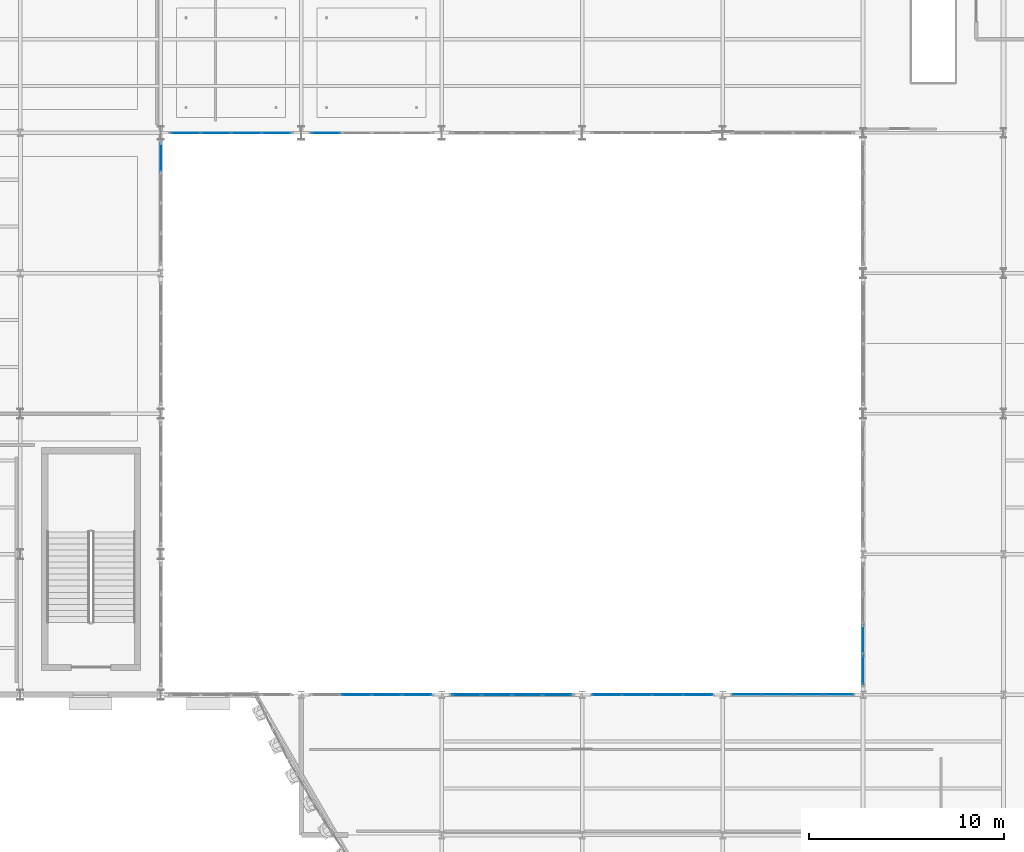
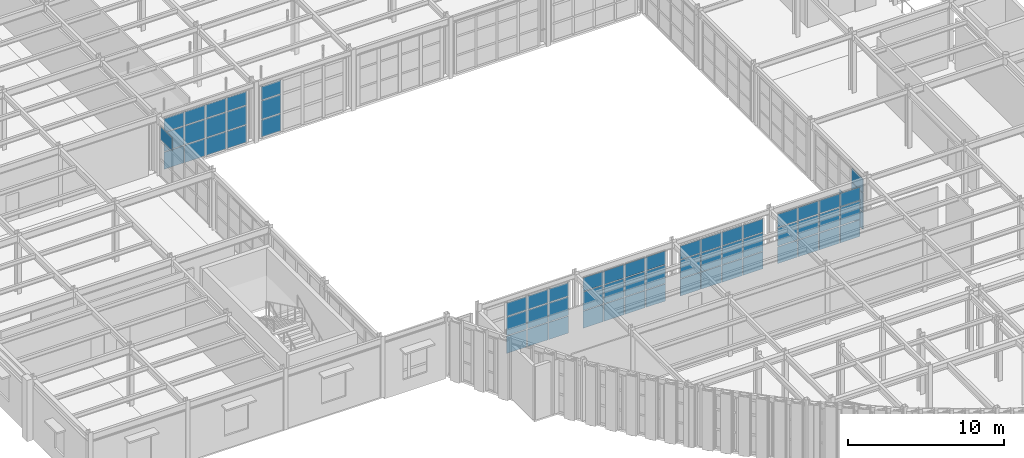
# One storey, part 79 of 121: 65 plates, 8 elements without a shape of their own.
"""IFC4 building model written with IfcOpenShell, lengths in metres."""

from ifc_helpers import new_model, si_unit, direction, frame, origin, origin_2d, place, context, subcontext, project, spatial, rectangle, extrude, material, layer, layer_set, type_object, element, aggregate, save


model = new_model("IFC4")

# Units and contexts
model_context = context("Model", 3, precision=1e-05, world=origin(), true_north=direction((0.0, 1.0)))
body_context = subcontext(model_context, "Body", "Model", "MODEL_VIEW")
ifc_project = project(units=[si_unit("LENGTHUNIT", "METRE"), si_unit("AREAUNIT", "SQUARE_METRE"), si_unit("VOLUMEUNIT", "CUBIC_METRE"), si_unit("PLANEANGLEUNIT", "RADIAN"), si_unit("MASSUNIT", "GRAM", prefix="KILO")], contexts=[model_context])

# Site, building, storey
site_placement = place(None, origin())
site = spatial("IfcSite", under=ifc_project, at=site_placement, CompositionType="ELEMENT")
building_placement = place(site_placement, origin())
building = spatial("IfcBuilding", under=site, at=building_placement, Name="Solvadek Multi-Sports Hall", CompositionType="ELEMENT")
storey_placement = place(building_placement, frame((0.0, 0.0, 4.800048828125)))
storey = spatial("IfcBuildingStorey", under=building, at=storey_placement, Name="L01", CompositionType="ELEMENT", Elevation=4.800048828125)

# Curtain wall, plates
ifc_material_1 = material(Name="Anodised aluminium", Category="aluminium")
ifc_layer_1 = layer(ifc_material_1, 0.159912109375, Name="Anodised aluminium")
ifc_layer_set_1 = layer_set([ifc_layer_1], Name="Anodised aluminium")
curtain_wall_type_1 = type_object("IfcCurtainWallType", Name="ENV-CW-624X400", PredefinedType="USERDEFINED", material=ifc_layer_set_1)
curtain_wall_1_placement = place(storey_placement, origin())
curtain_wall_1 = element("IfcCurtainWall", 1, at=curtain_wall_1_placement, inside=storey, type_object=curtain_wall_type_1, Name="L01 Perimeter Bay Curtain Wall #175", ObjectType="CURTAIN WALL", PredefinedType="USERDEFINED")
ifc_material_2 = material(Name="Tempered laminated low-E glass", Category="glass")
ifc_layer_2 = layer(ifc_material_2, 0.02392578125, Name="Tempered laminated low-E glass")
ifc_layer_set_2 = layer_set([ifc_layer_2], Name="Tempered laminated low-E glass")
plate_type_1 = type_object("IfcPlateType", Name="ENV-CWP-01", PredefinedType="CURTAIN_PANEL", material=ifc_layer_set_2)
plate_1_placement = place(storey_placement, frame((51.675048828125, 20.39990234375, 0.06494140625), z_axis=(0.0, 0.0, 1.0), x_axis=(1.0, 0.0, 0.0)))
plate_1 = element("IfcPlate", 2, at=plate_1_placement, type_object=plate_type_1, Name="CW-56 panel 1.1", PredefinedType="CURTAIN_PANEL", context=body_context, shape_type="SweptSolid", body=[
    extrude(rectangle(XDim=1.469970703125, YDim=0.02392578125, at=origin_2d()), origin(), (0.0, 0.0, 1.0), 1.302490234375),
])
plate_2_placement = place(storey_placement, frame((51.675048828125, 20.39990234375, 1.432373046875), z_axis=(0.0, 0.0, 1.0), x_axis=(1.0, 0.0, 0.0)))
plate_2 = element("IfcPlate", 3, at=plate_2_placement, type_object=plate_type_1, Name="CW-56 panel 1.2", PredefinedType="CURTAIN_PANEL", context=body_context, shape_type="SweptSolid", body=[
    extrude(rectangle(XDim=1.469970703125, YDim=0.02392578125, at=origin_2d()), origin(), (0.0, 0.0, 1.0), 1.4150390625),
])
plate_3_placement = place(storey_placement, frame((51.675048828125, 20.39990234375, 2.912353515625), z_axis=(0.0, 0.0, 1.0), x_axis=(1.0, 0.0, 0.0)))
plate_3 = element("IfcPlate", 4, at=plate_3_placement, type_object=plate_type_1, Name="CW-56 panel 1.3", PredefinedType="CURTAIN_PANEL", context=body_context, shape_type="SweptSolid", body=[
    extrude(rectangle(XDim=1.469970703125, YDim=0.02392578125, at=origin_2d()), origin(), (0.0, 0.0, 1.0), 1.0224609375),
])
plate_4_placement = place(storey_placement, frame((53.219970703125, 20.39990234375, 0.06494140625), z_axis=(0.0, 0.0, 1.0), x_axis=(1.0, 0.0, 0.0)))
plate_4 = element("IfcPlate", 5, at=plate_4_placement, type_object=plate_type_1, Name="CW-56 panel 2.1", PredefinedType="CURTAIN_PANEL", context=body_context, shape_type="SweptSolid", body=[
    extrude(rectangle(XDim=1.5, YDim=0.02392578125, at=origin_2d()), origin(), (0.0, 0.0, 1.0), 1.302490234375),
])
plate_5_placement = place(storey_placement, frame((53.219970703125, 20.39990234375, 1.432373046875), z_axis=(0.0, 0.0, 1.0), x_axis=(1.0, 0.0, 0.0)))
plate_5 = element("IfcPlate", 6, at=plate_5_placement, type_object=plate_type_1, Name="CW-56 panel 2.2", PredefinedType="CURTAIN_PANEL", context=body_context, shape_type="SweptSolid", body=[
    extrude(rectangle(XDim=1.5, YDim=0.02392578125, at=origin_2d()), origin(), (0.0, 0.0, 1.0), 1.4150390625),
])
plate_6_placement = place(storey_placement, frame((53.219970703125, 20.39990234375, 2.912353515625), z_axis=(0.0, 0.0, 1.0), x_axis=(1.0, 0.0, 0.0)))
plate_6 = element("IfcPlate", 7, at=plate_6_placement, type_object=plate_type_1, Name="CW-56 panel 2.3", PredefinedType="CURTAIN_PANEL", context=body_context, shape_type="SweptSolid", body=[
    extrude(rectangle(XDim=1.5, YDim=0.02392578125, at=origin_2d()), origin(), (0.0, 0.0, 1.0), 1.0224609375),
])
plate_7_placement = place(storey_placement, frame((54.780029296875, 20.39990234375, 0.06494140625), z_axis=(0.0, 0.0, 1.0), x_axis=(1.0, 0.0, 0.0)))
plate_7 = element("IfcPlate", 8, at=plate_7_placement, type_object=plate_type_1, Name="CW-56 panel 3.1", PredefinedType="CURTAIN_PANEL", context=body_context, shape_type="SweptSolid", body=[
    extrude(rectangle(XDim=1.5, YDim=0.02392578125, at=origin_2d()), origin(), (0.0, 0.0, 1.0), 1.302490234375),
])
plate_8_placement = place(storey_placement, frame((54.780029296875, 20.39990234375, 1.432373046875), z_axis=(0.0, 0.0, 1.0), x_axis=(1.0, 0.0, 0.0)))
plate_8 = element("IfcPlate", 9, at=plate_8_placement, type_object=plate_type_1, Name="CW-56 panel 3.2", PredefinedType="CURTAIN_PANEL", context=body_context, shape_type="SweptSolid", body=[
    extrude(rectangle(XDim=1.5, YDim=0.02392578125, at=origin_2d()), origin(), (0.0, 0.0, 1.0), 1.4150390625),
])
plate_9_placement = place(storey_placement, frame((54.780029296875, 20.39990234375, 2.912353515625), z_axis=(0.0, 0.0, 1.0), x_axis=(1.0, 0.0, 0.0)))
plate_9 = element("IfcPlate", 10, at=plate_9_placement, type_object=plate_type_1, Name="CW-56 panel 3.3", PredefinedType="CURTAIN_PANEL", context=body_context, shape_type="SweptSolid", body=[
    extrude(rectangle(XDim=1.5, YDim=0.02392578125, at=origin_2d()), origin(), (0.0, 0.0, 1.0), 1.0224609375),
])
plate_10_placement = place(storey_placement, frame((56.324951171875, 20.39990234375, 0.06494140625), z_axis=(0.0, 0.0, 1.0), x_axis=(1.0, 0.0, 0.0)))
plate_10 = element("IfcPlate", 11, at=plate_10_placement, type_object=plate_type_1, Name="CW-56 panel 4.1", PredefinedType="CURTAIN_PANEL", context=body_context, shape_type="SweptSolid", body=[
    extrude(rectangle(XDim=1.469970703125, YDim=0.02392578125, at=origin_2d()), origin(), (0.0, 0.0, 1.0), 1.302490234375),
])
plate_11_placement = place(storey_placement, frame((56.324951171875, 20.39990234375, 1.432373046875), z_axis=(0.0, 0.0, 1.0), x_axis=(1.0, 0.0, 0.0)))
plate_11 = element("IfcPlate", 12, at=plate_11_placement, type_object=plate_type_1, Name="CW-56 panel 4.2", PredefinedType="CURTAIN_PANEL", context=body_context, shape_type="SweptSolid", body=[
    extrude(rectangle(XDim=1.469970703125, YDim=0.02392578125, at=origin_2d()), origin(), (0.0, 0.0, 1.0), 1.4150390625),
])
plate_12_placement = place(storey_placement, frame((56.324951171875, 20.39990234375, 2.912353515625), z_axis=(0.0, 0.0, 1.0), x_axis=(1.0, 0.0, 0.0)))
plate_12 = element("IfcPlate", 13, at=plate_12_placement, type_object=plate_type_1, Name="CW-56 panel 4.3", PredefinedType="CURTAIN_PANEL", context=body_context, shape_type="SweptSolid", body=[
    extrude(rectangle(XDim=1.469970703125, YDim=0.02392578125, at=origin_2d()), origin(), (0.0, 0.0, 1.0), 1.0224609375),
])
aggregate(curtain_wall_1, [plate_1, plate_2, plate_3, plate_4, plate_5, plate_6, plate_7, plate_8, plate_9, plate_10, plate_11, plate_12])

# Curtain wall, plate
curtain_wall_2_placement = place(storey_placement, origin())
curtain_wall_2 = element("IfcCurtainWall", 14, at=curtain_wall_2_placement, inside=storey, type_object=curtain_wall_type_1, Name="L01 Perimeter Bay Curtain Wall #198", ObjectType="CURTAIN WALL", PredefinedType="USERDEFINED")
plate_13_placement = place(storey_placement, frame((21.60009765625, 47.925048828125, 2.912353515625), z_axis=(0.0, 0.0, 1.0), x_axis=(0.0, 1.0, 0.0)))
plate_13 = element("IfcPlate", 15, at=plate_13_placement, type_object=plate_type_1, Name="CW-56 panel 4.3", PredefinedType="CURTAIN_PANEL", context=body_context, shape_type="SweptSolid", body=[
    extrude(rectangle(XDim=1.469970703125, YDim=0.02392578125, at=origin_2d()), origin(), (0.0, 0.0, 1.0), 1.0224609375),
])
aggregate(curtain_wall_2, [plate_13])

# Curtain wall, plates
ifc_layer_3 = layer(ifc_material_1, 0.159912109375, Name="Anodised aluminium")
ifc_layer_set_3 = layer_set([ifc_layer_3], Name="Anodised aluminium")
curtain_wall_type_2 = type_object("IfcCurtainWallType", Name="ENV-CW-624X410", PredefinedType="USERDEFINED", material=ifc_layer_set_3)
curtain_wall_3_placement = place(storey_placement, origin())
curtain_wall_3 = element("IfcCurtainWall", 16, at=curtain_wall_3_placement, inside=storey, type_object=curtain_wall_type_2, Name="L01 Perimeter Bay Curtain Wall #156", ObjectType="CURTAIN WALL", PredefinedType="USERDEFINED")
ifc_layer_4 = layer(ifc_material_2, 0.031982421875, Name="Tempered laminated low-E glass")
ifc_layer_set_4 = layer_set([ifc_layer_4], Name="Tempered laminated low-E glass")
plate_type_2 = type_object("IfcPlateType", Name="ENV-CWP-03", PredefinedType="CURTAIN_PANEL", material=ifc_layer_set_4)
plate_14_placement = place(storey_placement, frame((22.876220703125, 49.199951171875, 0.06494140625), z_axis=(0.0, 0.0, 1.0), x_axis=(1.0, 0.0, 0.0)))
plate_14 = element("IfcPlate", 17, at=plate_14_placement, type_object=plate_type_2, Name="CW-39 panel 1.1", PredefinedType="CURTAIN_PANEL", context=body_context, shape_type="SweptSolid", body=[
    extrude(rectangle(XDim=1.46240234375, YDim=0.031982421875, at=origin_2d()), origin(), (0.0, 0.0, 1.0), 1.33740234375),
])
plate_15_placement = place(storey_placement, frame((22.876220703125, 49.199951171875, 1.46728515625), z_axis=(0.0, 0.0, 1.0), x_axis=(1.0, 0.0, 0.0)))
plate_15 = element("IfcPlate", 18, at=plate_15_placement, type_object=plate_type_2, Name="CW-39 panel 1.2", PredefinedType="CURTAIN_PANEL", context=body_context, shape_type="SweptSolid", body=[
    extrude(rectangle(XDim=1.46240234375, YDim=0.031982421875, at=origin_2d()), origin(), (0.0, 0.0, 1.0), 1.451904296875),
])
plate_16_placement = place(storey_placement, frame((22.876220703125, 49.199951171875, 2.984375), z_axis=(0.0, 0.0, 1.0), x_axis=(1.0, 0.0, 0.0)))
plate_16 = element("IfcPlate", 19, at=plate_16_placement, type_object=plate_type_2, Name="CW-39 panel 1.3", PredefinedType="CURTAIN_PANEL", context=body_context, shape_type="SweptSolid", body=[
    extrude(rectangle(XDim=1.46240234375, YDim=0.031982421875, at=origin_2d()), origin(), (0.0, 0.0, 1.0), 1.050537109375),
])
plate_17_placement = place(storey_placement, frame((24.419921875, 49.199951171875, 0.06494140625), z_axis=(0.0, 0.0, 1.0), x_axis=(1.0, 0.0, 0.0)))
plate_17 = element("IfcPlate", 20, at=plate_17_placement, type_object=plate_type_2, Name="CW-39 panel 2.1", PredefinedType="CURTAIN_PANEL", context=body_context, shape_type="SweptSolid", body=[
    extrude(rectangle(XDim=1.4951171875, YDim=0.031982421875, at=origin_2d()), origin(), (0.0, 0.0, 1.0), 1.33740234375),
])
plate_18_placement = place(storey_placement, frame((24.419921875, 49.199951171875, 1.46728515625), z_axis=(0.0, 0.0, 1.0), x_axis=(1.0, 0.0, 0.0)))
plate_18 = element("IfcPlate", 21, at=plate_18_placement, type_object=plate_type_2, Name="CW-39 panel 2.2", PredefinedType="CURTAIN_PANEL", context=body_context, shape_type="SweptSolid", body=[
    extrude(rectangle(XDim=1.4951171875, YDim=0.031982421875, at=origin_2d()), origin(), (0.0, 0.0, 1.0), 1.451904296875),
])
plate_19_placement = place(storey_placement, frame((24.419921875, 49.199951171875, 2.984375), z_axis=(0.0, 0.0, 1.0), x_axis=(1.0, 0.0, 0.0)))
plate_19 = element("IfcPlate", 22, at=plate_19_placement, type_object=plate_type_2, Name="CW-39 panel 2.3", PredefinedType="CURTAIN_PANEL", context=body_context, shape_type="SweptSolid", body=[
    extrude(rectangle(XDim=1.4951171875, YDim=0.031982421875, at=origin_2d()), origin(), (0.0, 0.0, 1.0), 1.050537109375),
])
plate_20_placement = place(storey_placement, frame((25.97998046875, 49.199951171875, 0.06494140625), z_axis=(0.0, 0.0, 1.0), x_axis=(1.0, 0.0, 0.0)))
plate_20 = element("IfcPlate", 23, at=plate_20_placement, type_object=plate_type_2, Name="CW-39 panel 3.1", PredefinedType="CURTAIN_PANEL", context=body_context, shape_type="SweptSolid", body=[
    extrude(rectangle(XDim=1.4951171875, YDim=0.031982421875, at=origin_2d()), origin(), (0.0, 0.0, 1.0), 1.33740234375),
])
plate_21_placement = place(storey_placement, frame((25.97998046875, 49.199951171875, 1.46728515625), z_axis=(0.0, 0.0, 1.0), x_axis=(1.0, 0.0, 0.0)))
plate_21 = element("IfcPlate", 24, at=plate_21_placement, type_object=plate_type_2, Name="CW-39 panel 3.2", PredefinedType="CURTAIN_PANEL", context=body_context, shape_type="SweptSolid", body=[
    extrude(rectangle(XDim=1.4951171875, YDim=0.031982421875, at=origin_2d()), origin(), (0.0, 0.0, 1.0), 1.451904296875),
])
plate_22_placement = place(storey_placement, frame((25.97998046875, 49.199951171875, 2.984375), z_axis=(0.0, 0.0, 1.0), x_axis=(1.0, 0.0, 0.0)))
plate_22 = element("IfcPlate", 25, at=plate_22_placement, type_object=plate_type_2, Name="CW-39 panel 3.3", PredefinedType="CURTAIN_PANEL", context=body_context, shape_type="SweptSolid", body=[
    extrude(rectangle(XDim=1.4951171875, YDim=0.031982421875, at=origin_2d()), origin(), (0.0, 0.0, 1.0), 1.050537109375),
])
plate_23_placement = place(storey_placement, frame((27.523681640625, 49.199951171875, 0.06494140625), z_axis=(0.0, 0.0, 1.0), x_axis=(1.0, 0.0, 0.0)))
plate_23 = element("IfcPlate", 26, at=plate_23_placement, type_object=plate_type_2, Name="CW-39 panel 4.1", PredefinedType="CURTAIN_PANEL", context=body_context, shape_type="SweptSolid", body=[
    extrude(rectangle(XDim=1.46240234375, YDim=0.031982421875, at=origin_2d()), origin(), (0.0, 0.0, 1.0), 1.33740234375),
])
plate_24_placement = place(storey_placement, frame((27.523681640625, 49.199951171875, 1.46728515625), z_axis=(0.0, 0.0, 1.0), x_axis=(1.0, 0.0, 0.0)))
plate_24 = element("IfcPlate", 27, at=plate_24_placement, type_object=plate_type_2, Name="CW-39 panel 4.2", PredefinedType="CURTAIN_PANEL", context=body_context, shape_type="SweptSolid", body=[
    extrude(rectangle(XDim=1.46240234375, YDim=0.031982421875, at=origin_2d()), origin(), (0.0, 0.0, 1.0), 1.451904296875),
])
plate_25_placement = place(storey_placement, frame((27.523681640625, 49.199951171875, 2.984375), z_axis=(0.0, 0.0, 1.0), x_axis=(1.0, 0.0, 0.0)))
plate_25 = element("IfcPlate", 28, at=plate_25_placement, type_object=plate_type_2, Name="CW-39 panel 4.3", PredefinedType="CURTAIN_PANEL", context=body_context, shape_type="SweptSolid", body=[
    extrude(rectangle(XDim=1.46240234375, YDim=0.031982421875, at=origin_2d()), origin(), (0.0, 0.0, 1.0), 1.050537109375),
])
aggregate(curtain_wall_3, [plate_14, plate_15, plate_16, plate_17, plate_18, plate_19, plate_20, plate_21, plate_22, plate_23, plate_24, plate_25])

ifc_layer_5 = layer(ifc_material_1, 0.159912109375, Name="Anodised aluminium")
ifc_layer_set_5 = layer_set([ifc_layer_5], Name="Anodised aluminium")
curtain_wall_type_3 = type_object("IfcCurtainWallType", Name="ENV-CW-624X408", PredefinedType="USERDEFINED", material=ifc_layer_set_5)
curtain_wall_4_placement = place(storey_placement, origin())
curtain_wall_4 = element("IfcCurtainWall", 29, at=curtain_wall_4_placement, inside=storey, type_object=curtain_wall_type_3, Name="L01 Perimeter Bay Curtain Wall #159", ObjectType="CURTAIN WALL", PredefinedType="USERDEFINED")
ifc_layer_6 = layer(ifc_material_2, 0.035888671875, Name="Tempered laminated low-E glass")
ifc_layer_set_6 = layer_set([ifc_layer_6], Name="Tempered laminated low-E glass")
plate_type_3 = type_object("IfcPlateType", Name="ENV-CWP-04", PredefinedType="CURTAIN_PANEL", material=ifc_layer_set_6)
plate_26_placement = place(storey_placement, frame((31.6201171875, 20.39990234375, 0.06494140625), z_axis=(0.0, 0.0, 1.0), x_axis=(1.0, 0.0, 0.0)))
plate_26 = element("IfcPlate", 30, at=plate_26_placement, type_object=plate_type_3, Name="CW-40 panel 2.1", PredefinedType="CURTAIN_PANEL", context=body_context, shape_type="SweptSolid", body=[
    extrude(rectangle(XDim=1.4951171875, YDim=0.035888671875, at=origin_2d()), origin(), (0.0, 0.0, 1.0), 1.32861328125),
])
plate_27_placement = place(storey_placement, frame((31.6201171875, 20.39990234375, 1.45849609375), z_axis=(0.0, 0.0, 1.0), x_axis=(1.0, 0.0, 0.0)))
plate_27 = element("IfcPlate", 31, at=plate_27_placement, type_object=plate_type_3, Name="CW-40 panel 2.2", PredefinedType="CURTAIN_PANEL", context=body_context, shape_type="SweptSolid", body=[
    extrude(rectangle(XDim=1.4951171875, YDim=0.035888671875, at=origin_2d()), origin(), (0.0, 0.0, 1.0), 1.443115234375),
])
plate_28_placement = place(storey_placement, frame((31.6201171875, 20.39990234375, 2.966552734375), z_axis=(0.0, 0.0, 1.0), x_axis=(1.0, 0.0, 0.0)))
plate_28 = element("IfcPlate", 32, at=plate_28_placement, type_object=plate_type_3, Name="CW-40 panel 2.3", PredefinedType="CURTAIN_PANEL", context=body_context, shape_type="SweptSolid", body=[
    extrude(rectangle(XDim=1.4951171875, YDim=0.035888671875, at=origin_2d()), origin(), (0.0, 0.0, 1.0), 1.04345703125),
])
plate_29_placement = place(storey_placement, frame((33.179931640625, 20.39990234375, 0.06494140625), z_axis=(0.0, 0.0, 1.0), x_axis=(1.0, 0.0, 0.0)))
plate_29 = element("IfcPlate", 33, at=plate_29_placement, type_object=plate_type_3, Name="CW-40 panel 3.1", PredefinedType="CURTAIN_PANEL", context=body_context, shape_type="SweptSolid", body=[
    extrude(rectangle(XDim=1.4951171875, YDim=0.035888671875, at=origin_2d()), origin(), (0.0, 0.0, 1.0), 1.32861328125),
])
plate_30_placement = place(storey_placement, frame((33.179931640625, 20.39990234375, 1.45849609375), z_axis=(0.0, 0.0, 1.0), x_axis=(1.0, 0.0, 0.0)))
plate_30 = element("IfcPlate", 34, at=plate_30_placement, type_object=plate_type_3, Name="CW-40 panel 3.2", PredefinedType="CURTAIN_PANEL", context=body_context, shape_type="SweptSolid", body=[
    extrude(rectangle(XDim=1.4951171875, YDim=0.035888671875, at=origin_2d()), origin(), (0.0, 0.0, 1.0), 1.443115234375),
])
plate_31_placement = place(storey_placement, frame((33.179931640625, 20.39990234375, 2.966552734375), z_axis=(0.0, 0.0, 1.0), x_axis=(1.0, 0.0, 0.0)))
plate_31 = element("IfcPlate", 35, at=plate_31_placement, type_object=plate_type_3, Name="CW-40 panel 3.3", PredefinedType="CURTAIN_PANEL", context=body_context, shape_type="SweptSolid", body=[
    extrude(rectangle(XDim=1.4951171875, YDim=0.035888671875, at=origin_2d()), origin(), (0.0, 0.0, 1.0), 1.04345703125),
])
plate_32_placement = place(storey_placement, frame((34.7236328125, 20.39990234375, 0.06494140625), z_axis=(0.0, 0.0, 1.0), x_axis=(1.0, 0.0, 0.0)))
plate_32 = element("IfcPlate", 36, at=plate_32_placement, type_object=plate_type_3, Name="CW-40 panel 4.1", PredefinedType="CURTAIN_PANEL", context=body_context, shape_type="SweptSolid", body=[
    extrude(rectangle(XDim=1.46240234375, YDim=0.035888671875, at=origin_2d()), origin(), (0.0, 0.0, 1.0), 1.32861328125),
])
plate_33_placement = place(storey_placement, frame((34.7236328125, 20.39990234375, 1.45849609375), z_axis=(0.0, 0.0, 1.0), x_axis=(1.0, 0.0, 0.0)))
plate_33 = element("IfcPlate", 37, at=plate_33_placement, type_object=plate_type_3, Name="CW-40 panel 4.2", PredefinedType="CURTAIN_PANEL", context=body_context, shape_type="SweptSolid", body=[
    extrude(rectangle(XDim=1.46240234375, YDim=0.035888671875, at=origin_2d()), origin(), (0.0, 0.0, 1.0), 1.443115234375),
])
plate_34_placement = place(storey_placement, frame((34.7236328125, 20.39990234375, 2.966552734375), z_axis=(0.0, 0.0, 1.0), x_axis=(1.0, 0.0, 0.0)))
plate_34 = element("IfcPlate", 38, at=plate_34_placement, type_object=plate_type_3, Name="CW-40 panel 4.3", PredefinedType="CURTAIN_PANEL", context=body_context, shape_type="SweptSolid", body=[
    extrude(rectangle(XDim=1.46240234375, YDim=0.035888671875, at=origin_2d()), origin(), (0.0, 0.0, 1.0), 1.04345703125),
])
aggregate(curtain_wall_4, [plate_26, plate_27, plate_28, plate_29, plate_30, plate_31, plate_32, plate_33, plate_34])

curtain_wall_5_placement = place(storey_placement, origin())
curtain_wall_5 = element("IfcCurtainWall", 39, at=curtain_wall_5_placement, inside=storey, type_object=curtain_wall_type_3, Name="L01 Perimeter Bay Curtain Wall #162", ObjectType="CURTAIN WALL", PredefinedType="USERDEFINED")
plate_35_placement = place(storey_placement, frame((30.076171875, 49.199951171875, 0.06494140625), z_axis=(0.0, 0.0, 1.0), x_axis=(1.0, 0.0, 0.0)))
plate_35 = element("IfcPlate", 40, at=plate_35_placement, type_object=plate_type_3, Name="CW-40 panel 1.1", PredefinedType="CURTAIN_PANEL", context=body_context, shape_type="SweptSolid", body=[
    extrude(rectangle(XDim=1.46240234375, YDim=0.035888671875, at=origin_2d()), origin(), (0.0, 0.0, 1.0), 1.32861328125),
])
plate_36_placement = place(storey_placement, frame((30.076171875, 49.199951171875, 1.45849609375), z_axis=(0.0, 0.0, 1.0), x_axis=(1.0, 0.0, 0.0)))
plate_36 = element("IfcPlate", 41, at=plate_36_placement, type_object=plate_type_3, Name="CW-40 panel 1.2", PredefinedType="CURTAIN_PANEL", context=body_context, shape_type="SweptSolid", body=[
    extrude(rectangle(XDim=1.46240234375, YDim=0.035888671875, at=origin_2d()), origin(), (0.0, 0.0, 1.0), 1.443115234375),
])
plate_37_placement = place(storey_placement, frame((30.076171875, 49.199951171875, 2.966552734375), z_axis=(0.0, 0.0, 1.0), x_axis=(1.0, 0.0, 0.0)))
plate_37 = element("IfcPlate", 42, at=plate_37_placement, type_object=plate_type_3, Name="CW-40 panel 1.3", PredefinedType="CURTAIN_PANEL", context=body_context, shape_type="SweptSolid", body=[
    extrude(rectangle(XDim=1.46240234375, YDim=0.035888671875, at=origin_2d()), origin(), (0.0, 0.0, 1.0), 1.04345703125),
])
aggregate(curtain_wall_5, [plate_35, plate_36, plate_37])

curtain_wall_6_placement = place(storey_placement, origin())
curtain_wall_6 = element("IfcCurtainWall", 43, at=curtain_wall_6_placement, inside=storey, type_object=curtain_wall_type_3, Name="L01 Perimeter Bay Curtain Wall #184", ObjectType="CURTAIN WALL", PredefinedType="USERDEFINED")
plate_38_placement = place(storey_placement, frame((57.60009765625, 21.67626953125, 0.06494140625), z_axis=(0.0, 0.0, 1.0), x_axis=(0.0, 1.0, 0.0)))
plate_38 = element("IfcPlate", 44, at=plate_38_placement, type_object=plate_type_3, Name="CW-40 panel 1.1", PredefinedType="CURTAIN_PANEL", context=body_context, shape_type="SweptSolid", body=[
    extrude(rectangle(XDim=1.46240234375, YDim=0.035888671875, at=origin_2d()), origin(), (0.0, 0.0, 1.0), 1.32861328125),
])
plate_39_placement = place(storey_placement, frame((57.60009765625, 21.67626953125, 1.45849609375), z_axis=(0.0, 0.0, 1.0), x_axis=(0.0, 1.0, 0.0)))
plate_39 = element("IfcPlate", 45, at=plate_39_placement, type_object=plate_type_3, Name="CW-40 panel 1.2", PredefinedType="CURTAIN_PANEL", context=body_context, shape_type="SweptSolid", body=[
    extrude(rectangle(XDim=1.46240234375, YDim=0.035888671875, at=origin_2d()), origin(), (0.0, 0.0, 1.0), 1.443115234375),
])
plate_40_placement = place(storey_placement, frame((57.60009765625, 21.67626953125, 2.966552734375), z_axis=(0.0, 0.0, 1.0), x_axis=(0.0, 1.0, 0.0)))
plate_40 = element("IfcPlate", 46, at=plate_40_placement, type_object=plate_type_3, Name="CW-40 panel 1.3", PredefinedType="CURTAIN_PANEL", context=body_context, shape_type="SweptSolid", body=[
    extrude(rectangle(XDim=1.46240234375, YDim=0.035888671875, at=origin_2d()), origin(), (0.0, 0.0, 1.0), 1.04345703125),
])
plate_41_placement = place(storey_placement, frame((57.60009765625, 23.219970703125, 0.06494140625), z_axis=(0.0, 0.0, 1.0), x_axis=(0.0, 1.0, 0.0)))
plate_41 = element("IfcPlate", 47, at=plate_41_placement, type_object=plate_type_3, Name="CW-40 panel 2.1", PredefinedType="CURTAIN_PANEL", context=body_context, shape_type="SweptSolid", body=[
    extrude(rectangle(XDim=1.4951171875, YDim=0.035888671875, at=origin_2d()), origin(), (0.0, 0.0, 1.0), 1.32861328125),
])
aggregate(curtain_wall_6, [plate_38, plate_39, plate_40, plate_41])

ifc_layer_7 = layer(ifc_material_1, 0.159912109375, Name="Anodised aluminium")
ifc_layer_set_7 = layer_set([ifc_layer_7], Name="Anodised aluminium")
curtain_wall_type_4 = type_object("IfcCurtainWallType", Name="ENV-CW-624X405", PredefinedType="USERDEFINED", material=ifc_layer_set_7)
curtain_wall_7_placement = place(storey_placement, origin())
curtain_wall_7 = element("IfcCurtainWall", 48, at=curtain_wall_7_placement, inside=storey, type_object=curtain_wall_type_4, Name="L01 Perimeter Bay Curtain Wall #164", ObjectType="CURTAIN WALL", PredefinedType="USERDEFINED")
ifc_layer_8 = layer(ifc_material_2, 0.0419921875, Name="Tempered laminated low-E glass")
ifc_layer_set_8 = layer_set([ifc_layer_8], Name="Tempered laminated low-E glass")
plate_type_4 = type_object("IfcPlateType", Name="ENV-CWP-05", PredefinedType="CURTAIN_PANEL", material=ifc_layer_set_8)
plate_42_placement = place(storey_placement, frame((37.277587890625, 20.39990234375, 0.06005859375), z_axis=(0.0, 0.0, 1.0), x_axis=(1.0, 0.0, 0.0)))
plate_42 = element("IfcPlate", 49, at=plate_42_placement, type_object=plate_type_4, Name="CW-52 panel 1.1", PredefinedType="CURTAIN_PANEL", context=body_context, shape_type="SweptSolid", body=[
    extrude(rectangle(XDim=1.455078125, YDim=0.0419921875, at=origin_2d()), origin(), (0.0, 0.0, 1.0), 1.326904296875),
])
plate_43_placement = place(storey_placement, frame((37.277587890625, 20.39990234375, 1.447021484375), z_axis=(0.0, 0.0, 1.0), x_axis=(1.0, 0.0, 0.0)))
plate_43 = element("IfcPlate", 50, at=plate_43_placement, type_object=plate_type_4, Name="CW-52 panel 1.2", PredefinedType="CURTAIN_PANEL", context=body_context, shape_type="SweptSolid", body=[
    extrude(rectangle(XDim=1.455078125, YDim=0.0419921875, at=origin_2d()), origin(), (0.0, 0.0, 1.0), 1.43896484375),
])
plate_44_placement = place(storey_placement, frame((37.277587890625, 20.39990234375, 2.946044921875), z_axis=(0.0, 0.0, 1.0), x_axis=(1.0, 0.0, 0.0)))
plate_44 = element("IfcPlate", 51, at=plate_44_placement, type_object=plate_type_4, Name="CW-52 panel 1.3", PredefinedType="CURTAIN_PANEL", context=body_context, shape_type="SweptSolid", body=[
    extrude(rectangle(XDim=1.455078125, YDim=0.0419921875, at=origin_2d()), origin(), (0.0, 0.0, 1.0), 1.0439453125),
])
plate_45_placement = place(storey_placement, frame((38.820068359375, 20.39990234375, 0.06005859375), z_axis=(0.0, 0.0, 1.0), x_axis=(1.0, 0.0, 0.0)))
plate_45 = element("IfcPlate", 52, at=plate_45_placement, type_object=plate_type_4, Name="CW-52 panel 2.1", PredefinedType="CURTAIN_PANEL", context=body_context, shape_type="SweptSolid", body=[
    extrude(rectangle(XDim=1.489990234375, YDim=0.0419921875, at=origin_2d()), origin(), (0.0, 0.0, 1.0), 1.326904296875),
])
plate_46_placement = place(storey_placement, frame((38.820068359375, 20.39990234375, 1.447021484375), z_axis=(0.0, 0.0, 1.0), x_axis=(1.0, 0.0, 0.0)))
plate_46 = element("IfcPlate", 53, at=plate_46_placement, type_object=plate_type_4, Name="CW-52 panel 2.2", PredefinedType="CURTAIN_PANEL", context=body_context, shape_type="SweptSolid", body=[
    extrude(rectangle(XDim=1.489990234375, YDim=0.0419921875, at=origin_2d()), origin(), (0.0, 0.0, 1.0), 1.43896484375),
])
plate_47_placement = place(storey_placement, frame((38.820068359375, 20.39990234375, 2.946044921875), z_axis=(0.0, 0.0, 1.0), x_axis=(1.0, 0.0, 0.0)))
plate_47 = element("IfcPlate", 54, at=plate_47_placement, type_object=plate_type_4, Name="CW-52 panel 2.3", PredefinedType="CURTAIN_PANEL", context=body_context, shape_type="SweptSolid", body=[
    extrude(rectangle(XDim=1.489990234375, YDim=0.0419921875, at=origin_2d()), origin(), (0.0, 0.0, 1.0), 1.0439453125),
])
plate_48_placement = place(storey_placement, frame((40.3798828125, 20.39990234375, 0.06005859375), z_axis=(0.0, 0.0, 1.0), x_axis=(1.0, 0.0, 0.0)))
plate_48 = element("IfcPlate", 55, at=plate_48_placement, type_object=plate_type_4, Name="CW-52 panel 3.1", PredefinedType="CURTAIN_PANEL", context=body_context, shape_type="SweptSolid", body=[
    extrude(rectangle(XDim=1.489990234375, YDim=0.0419921875, at=origin_2d()), origin(), (0.0, 0.0, 1.0), 1.326904296875),
])
plate_49_placement = place(storey_placement, frame((40.3798828125, 20.39990234375, 1.447021484375), z_axis=(0.0, 0.0, 1.0), x_axis=(1.0, 0.0, 0.0)))
plate_49 = element("IfcPlate", 56, at=plate_49_placement, type_object=plate_type_4, Name="CW-52 panel 3.2", PredefinedType="CURTAIN_PANEL", context=body_context, shape_type="SweptSolid", body=[
    extrude(rectangle(XDim=1.489990234375, YDim=0.0419921875, at=origin_2d()), origin(), (0.0, 0.0, 1.0), 1.43896484375),
])
plate_50_placement = place(storey_placement, frame((40.3798828125, 20.39990234375, 2.946044921875), z_axis=(0.0, 0.0, 1.0), x_axis=(1.0, 0.0, 0.0)))
plate_50 = element("IfcPlate", 57, at=plate_50_placement, type_object=plate_type_4, Name="CW-52 panel 3.3", PredefinedType="CURTAIN_PANEL", context=body_context, shape_type="SweptSolid", body=[
    extrude(rectangle(XDim=1.489990234375, YDim=0.0419921875, at=origin_2d()), origin(), (0.0, 0.0, 1.0), 1.0439453125),
])
plate_51_placement = place(storey_placement, frame((41.922607421875, 20.39990234375, 0.06005859375), z_axis=(0.0, 0.0, 1.0), x_axis=(1.0, 0.0, 0.0)))
plate_51 = element("IfcPlate", 58, at=plate_51_placement, type_object=plate_type_4, Name="CW-52 panel 4.1", PredefinedType="CURTAIN_PANEL", context=body_context, shape_type="SweptSolid", body=[
    extrude(rectangle(XDim=1.455078125, YDim=0.0419921875, at=origin_2d()), origin(), (0.0, 0.0, 1.0), 1.326904296875),
])
plate_52_placement = place(storey_placement, frame((41.922607421875, 20.39990234375, 1.447021484375), z_axis=(0.0, 0.0, 1.0), x_axis=(1.0, 0.0, 0.0)))
plate_52 = element("IfcPlate", 59, at=plate_52_placement, type_object=plate_type_4, Name="CW-52 panel 4.2", PredefinedType="CURTAIN_PANEL", context=body_context, shape_type="SweptSolid", body=[
    extrude(rectangle(XDim=1.455078125, YDim=0.0419921875, at=origin_2d()), origin(), (0.0, 0.0, 1.0), 1.43896484375),
])
plate_53_placement = place(storey_placement, frame((41.922607421875, 20.39990234375, 2.946044921875), z_axis=(0.0, 0.0, 1.0), x_axis=(1.0, 0.0, 0.0)))
plate_53 = element("IfcPlate", 60, at=plate_53_placement, type_object=plate_type_4, Name="CW-52 panel 4.3", PredefinedType="CURTAIN_PANEL", context=body_context, shape_type="SweptSolid", body=[
    extrude(rectangle(XDim=1.455078125, YDim=0.0419921875, at=origin_2d()), origin(), (0.0, 0.0, 1.0), 1.0439453125),
])
aggregate(curtain_wall_7, [plate_42, plate_43, plate_44, plate_45, plate_46, plate_47, plate_48, plate_49, plate_50, plate_51, plate_52, plate_53])

ifc_layer_9 = layer(ifc_material_1, 0.159912109375, Name="Anodised aluminium")
ifc_layer_set_9 = layer_set([ifc_layer_9], Name="Anodised aluminium")
curtain_wall_type_5 = type_object("IfcCurtainWallType", Name="ENV-CW-624X402", PredefinedType="USERDEFINED", material=ifc_layer_set_9)
curtain_wall_8_placement = place(storey_placement, origin())
curtain_wall_8 = element("IfcCurtainWall", 61, at=curtain_wall_8_placement, inside=storey, type_object=curtain_wall_type_5, Name="L01 Perimeter Bay Curtain Wall #169", ObjectType="CURTAIN WALL", PredefinedType="USERDEFINED")
ifc_layer_10 = layer(ifc_material_2, 0.048095703125, Name="Tempered laminated low-E glass")
ifc_layer_set_10 = layer_set([ifc_layer_10], Name="Tempered laminated low-E glass")
plate_type_5 = type_object("IfcPlateType", Name="ENV-CWP-06", PredefinedType="CURTAIN_PANEL", material=ifc_layer_set_10)
plate_54_placement = place(storey_placement, frame((44.47509765625, 20.39990234375, 0.06005859375), z_axis=(0.0, 0.0, 1.0), x_axis=(1.0, 0.0, 0.0)))
plate_54 = element("IfcPlate", 62, at=plate_54_placement, type_object=plate_type_5, Name="CW-55 panel 1.1", PredefinedType="CURTAIN_PANEL", context=body_context, shape_type="SweptSolid", body=[
    extrude(rectangle(XDim=1.469970703125, YDim=0.048095703125, at=origin_2d()), origin(), (0.0, 0.0, 1.0), 1.319091796875),
])
plate_55_placement = place(storey_placement, frame((44.47509765625, 20.39990234375, 1.43896484375), z_axis=(0.0, 0.0, 1.0), x_axis=(1.0, 0.0, 0.0)))
plate_55 = element("IfcPlate", 63, at=plate_55_placement, type_object=plate_type_5, Name="CW-55 panel 1.2", PredefinedType="CURTAIN_PANEL", context=body_context, shape_type="SweptSolid", body=[
    extrude(rectangle(XDim=1.469970703125, YDim=0.048095703125, at=origin_2d()), origin(), (0.0, 0.0, 1.0), 1.428955078125),
])
plate_56_placement = place(storey_placement, frame((44.47509765625, 20.39990234375, 2.927978515625), z_axis=(0.0, 0.0, 1.0), x_axis=(1.0, 0.0, 0.0)))
plate_56 = element("IfcPlate", 64, at=plate_56_placement, type_object=plate_type_5, Name="CW-55 panel 1.3", PredefinedType="CURTAIN_PANEL", context=body_context, shape_type="SweptSolid", body=[
    extrude(rectangle(XDim=1.469970703125, YDim=0.048095703125, at=origin_2d()), origin(), (0.0, 0.0, 1.0), 1.037109375),
])
plate_57_placement = place(storey_placement, frame((46.02001953125, 20.39990234375, 0.06005859375), z_axis=(0.0, 0.0, 1.0), x_axis=(1.0, 0.0, 0.0)))
plate_57 = element("IfcPlate", 65, at=plate_57_placement, type_object=plate_type_5, Name="CW-55 panel 2.1", PredefinedType="CURTAIN_PANEL", context=body_context, shape_type="SweptSolid", body=[
    extrude(rectangle(XDim=1.5, YDim=0.048095703125, at=origin_2d()), origin(), (0.0, 0.0, 1.0), 1.319091796875),
])
plate_58_placement = place(storey_placement, frame((46.02001953125, 20.39990234375, 1.43896484375), z_axis=(0.0, 0.0, 1.0), x_axis=(1.0, 0.0, 0.0)))
plate_58 = element("IfcPlate", 66, at=plate_58_placement, type_object=plate_type_5, Name="CW-55 panel 2.2", PredefinedType="CURTAIN_PANEL", context=body_context, shape_type="SweptSolid", body=[
    extrude(rectangle(XDim=1.5, YDim=0.048095703125, at=origin_2d()), origin(), (0.0, 0.0, 1.0), 1.428955078125),
])
plate_59_placement = place(storey_placement, frame((46.02001953125, 20.39990234375, 2.927978515625), z_axis=(0.0, 0.0, 1.0), x_axis=(1.0, 0.0, 0.0)))
plate_59 = element("IfcPlate", 67, at=plate_59_placement, type_object=plate_type_5, Name="CW-55 panel 2.3", PredefinedType="CURTAIN_PANEL", context=body_context, shape_type="SweptSolid", body=[
    extrude(rectangle(XDim=1.5, YDim=0.048095703125, at=origin_2d()), origin(), (0.0, 0.0, 1.0), 1.037109375),
])
plate_60_placement = place(storey_placement, frame((47.580078125, 20.39990234375, 0.06005859375), z_axis=(0.0, 0.0, 1.0), x_axis=(1.0, 0.0, 0.0)))
plate_60 = element("IfcPlate", 68, at=plate_60_placement, type_object=plate_type_5, Name="CW-55 panel 3.1", PredefinedType="CURTAIN_PANEL", context=body_context, shape_type="SweptSolid", body=[
    extrude(rectangle(XDim=1.5, YDim=0.048095703125, at=origin_2d()), origin(), (0.0, 0.0, 1.0), 1.319091796875),
])
plate_61_placement = place(storey_placement, frame((47.580078125, 20.39990234375, 1.43896484375), z_axis=(0.0, 0.0, 1.0), x_axis=(1.0, 0.0, 0.0)))
plate_61 = element("IfcPlate", 69, at=plate_61_placement, type_object=plate_type_5, Name="CW-55 panel 3.2", PredefinedType="CURTAIN_PANEL", context=body_context, shape_type="SweptSolid", body=[
    extrude(rectangle(XDim=1.5, YDim=0.048095703125, at=origin_2d()), origin(), (0.0, 0.0, 1.0), 1.428955078125),
])
plate_62_placement = place(storey_placement, frame((47.580078125, 20.39990234375, 2.927978515625), z_axis=(0.0, 0.0, 1.0), x_axis=(1.0, 0.0, 0.0)))
plate_62 = element("IfcPlate", 70, at=plate_62_placement, type_object=plate_type_5, Name="CW-55 panel 3.3", PredefinedType="CURTAIN_PANEL", context=body_context, shape_type="SweptSolid", body=[
    extrude(rectangle(XDim=1.5, YDim=0.048095703125, at=origin_2d()), origin(), (0.0, 0.0, 1.0), 1.037109375),
])
plate_63_placement = place(storey_placement, frame((49.125, 20.39990234375, 0.06005859375), z_axis=(0.0, 0.0, 1.0), x_axis=(1.0, 0.0, 0.0)))
plate_63 = element("IfcPlate", 71, at=plate_63_placement, type_object=plate_type_5, Name="CW-55 panel 4.1", PredefinedType="CURTAIN_PANEL", context=body_context, shape_type="SweptSolid", body=[
    extrude(rectangle(XDim=1.469970703125, YDim=0.048095703125, at=origin_2d()), origin(), (0.0, 0.0, 1.0), 1.319091796875),
])
plate_64_placement = place(storey_placement, frame((49.125, 20.39990234375, 1.43896484375), z_axis=(0.0, 0.0, 1.0), x_axis=(1.0, 0.0, 0.0)))
plate_64 = element("IfcPlate", 72, at=plate_64_placement, type_object=plate_type_5, Name="CW-55 panel 4.2", PredefinedType="CURTAIN_PANEL", context=body_context, shape_type="SweptSolid", body=[
    extrude(rectangle(XDim=1.469970703125, YDim=0.048095703125, at=origin_2d()), origin(), (0.0, 0.0, 1.0), 1.428955078125),
])
plate_65_placement = place(storey_placement, frame((49.125, 20.39990234375, 2.927978515625), z_axis=(0.0, 0.0, 1.0), x_axis=(1.0, 0.0, 0.0)))
plate_65 = element("IfcPlate", 73, at=plate_65_placement, type_object=plate_type_5, Name="CW-55 panel 4.3", PredefinedType="CURTAIN_PANEL", context=body_context, shape_type="SweptSolid", body=[
    extrude(rectangle(XDim=1.469970703125, YDim=0.048095703125, at=origin_2d()), origin(), (0.0, 0.0, 1.0), 1.037109375),
])
aggregate(curtain_wall_8, [plate_54, plate_55, plate_56, plate_57, plate_58, plate_59, plate_60, plate_61, plate_62, plate_63, plate_64, plate_65])

save(model, "model.ifc")
